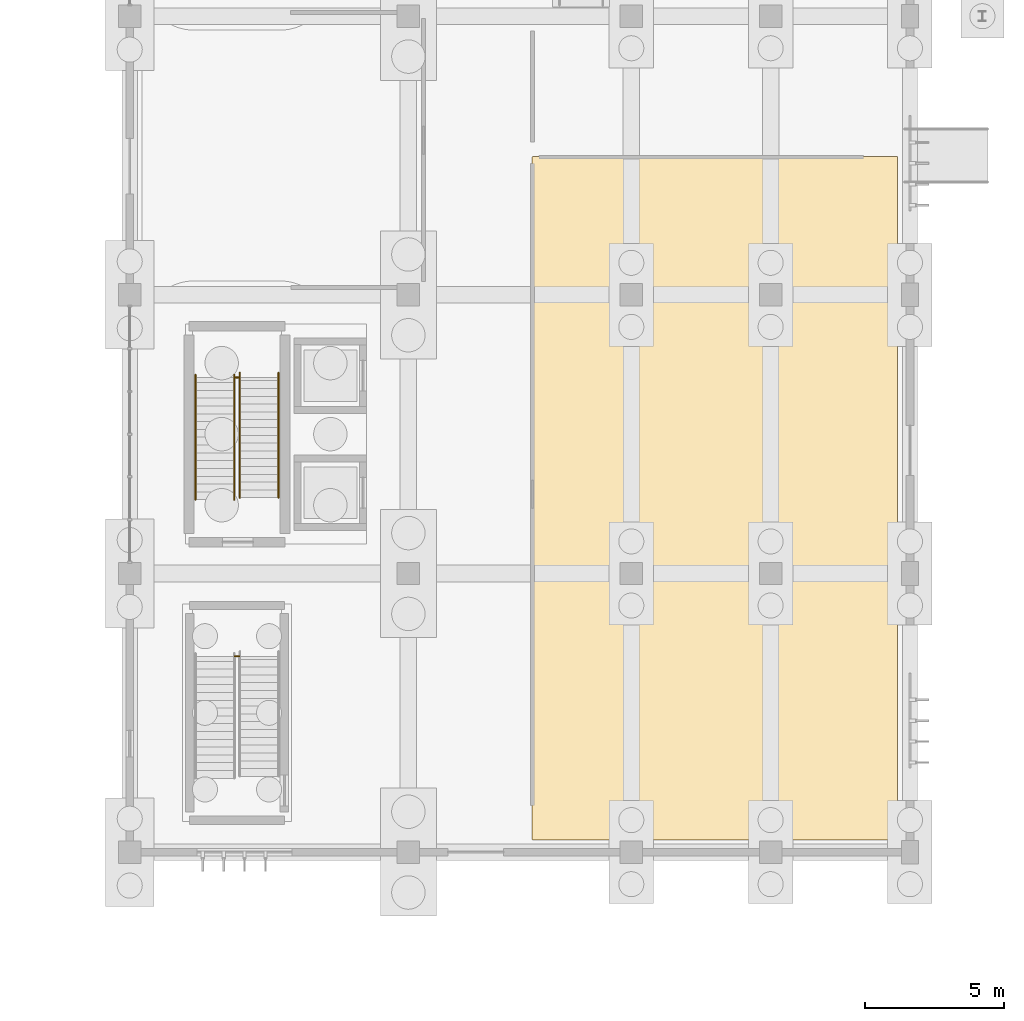
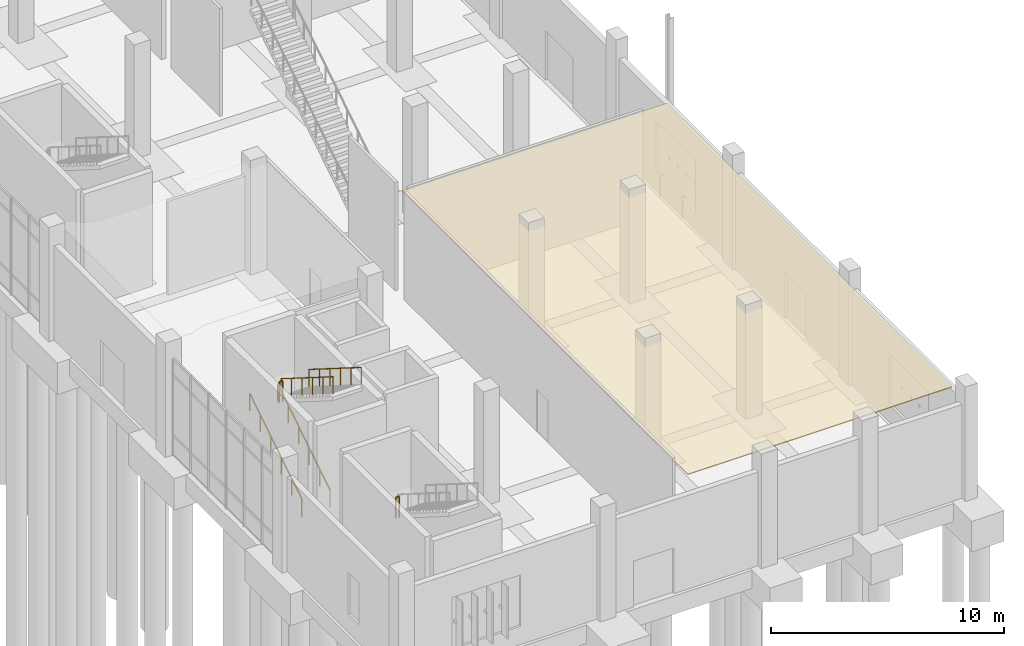
# One storey, part 126 of 140: 6 railings, 1 covering.
"""IFC4 building model written with IfcOpenShell, lengths in metres."""

from ifc_helpers import new_model, si_unit, direction, frame, origin, origin_2d, place, context, subcontext, project, spatial, polyline, circle, outline, extrude, material, layer, layer_set, type_object, element, save


model = new_model("IFC4")

# Units and contexts
model_context = context("Model", 3, precision=1e-05, world=origin(), true_north=direction((0.0, 1.0)))
body_context = subcontext(model_context, "Body", "Model", "MODEL_VIEW")
ifc_project = project(units=[si_unit("LENGTHUNIT", "METRE"), si_unit("AREAUNIT", "SQUARE_METRE"), si_unit("VOLUMEUNIT", "CUBIC_METRE"), si_unit("PLANEANGLEUNIT", "RADIAN"), si_unit("MASSUNIT", "GRAM", prefix="KILO")], contexts=[model_context])

# Site, building, storey
site_placement = place(None, origin())
site = spatial("IfcSite", under=ifc_project, at=site_placement, CompositionType="ELEMENT")
building_placement = place(site_placement, origin())
building = spatial("IfcBuilding", under=site, at=building_placement, Name="Corvandel Quay Wholesale Market", CompositionType="ELEMENT")
storey_placement = place(building_placement, origin())
storey = spatial("IfcBuildingStorey", under=building, at=storey_placement, Name="L00", CompositionType="ELEMENT", Elevation=0.0)

# Covering
ifc_material_1 = material(Name="Perforated powder-coated aluminium acoustic panel", Category="aluminium")
ifc_layer_1 = layer(ifc_material_1, 0.044921875)
ifc_layer_set_1 = layer_set([ifc_layer_1], Name="Perforated powder-coated aluminium acoustic panel")
covering_type = type_object("IfcCoveringType", Name="Perforated Acoustic Baffle Ceiling CLG01", PredefinedType="CEILING", material=ifc_layer_set_1)
covering_placement = place(storey_placement, frame((0.0, 0.0, 5.510009765625)))
element("IfcCovering", 1, at=covering_placement, inside=storey, type_object=covering_type, Name="Suspended Ceiling CLG-025", PredefinedType="CEILING", context=body_context, shape_type="SweptSolid", body=[
    extrude(outline(polyline([(234.4580078125, 10.43994140625), (234.4560546875, 10.43994140625), (234.4541015625, 10.44091796875), (234.451904296875, 10.44189453125), (234.450927734375, 10.44189453125), (234.448974609375, 10.443115234375), (234.447021484375, 10.445068359375), (234.446044921875, 10.446044921875), (234.445068359375, 10.447021484375), (234.443115234375, 10.448974609375), (234.44189453125, 10.450927734375), (234.44189453125, 10.451904296875), (234.44091796875, 10.4541015625), (234.43994140625, 10.4560546875), (234.43994140625, 10.4580078125), (234.43994140625, 10.4599609375), (234.43994140625, 34.93994140625), (234.43994140625, 34.94189453125), (234.43994140625, 34.944091796875), (234.44091796875, 34.946044921875), (234.44189453125, 34.947998046875), (234.44189453125, 34.948974609375), (234.443115234375, 34.950927734375), (234.445068359375, 34.952880859375), (234.446044921875, 34.9541015625), (234.447021484375, 34.955078125), (234.448974609375, 34.95703125), (234.450927734375, 34.9580078125), (234.451904296875, 34.9580078125), (234.4541015625, 34.958984375), (234.4560546875, 34.9599609375), (234.4580078125, 34.9599609375), (234.4599609375, 34.9599609375), (247.5400390625, 34.9599609375), (247.5419921875, 34.9599609375), (247.5439453125, 34.9599609375), (247.5458984375, 34.958984375), (247.548095703125, 34.9580078125), (247.549072265625, 34.9580078125), (247.551025390625, 34.95703125), (247.552978515625, 34.955078125), (247.553955078125, 34.9541015625), (247.554931640625, 34.952880859375), (247.556884765625, 34.950927734375), (247.55810546875, 34.948974609375), (247.55810546875, 34.947998046875), (247.55908203125, 34.946044921875), (247.56005859375, 34.944091796875), (247.56005859375, 34.94189453125), (247.56005859375, 34.93994140625), (247.56005859375, 10.4599609375), (247.56005859375, 10.4580078125), (247.56005859375, 10.4560546875), (247.55908203125, 10.4541015625), (247.55810546875, 10.451904296875), (247.55810546875, 10.450927734375), (247.556884765625, 10.448974609375), (247.554931640625, 10.447021484375), (247.553955078125, 10.446044921875), (247.552978515625, 10.445068359375), (247.551025390625, 10.443115234375), (247.549072265625, 10.44189453125), (247.548095703125, 10.44189453125), (247.5458984375, 10.44091796875), (247.5439453125, 10.43994140625), (247.5419921875, 10.43994140625), (247.5400390625, 10.43994140625), (234.4599609375, 10.43994140625), (234.4580078125, 10.43994140625)])), origin(), (0.0, 0.0, 1.0), 0.044921875),
])

# Railings
ifc_material_2 = material(Name="Painted galvanised tubular steel", Category="steel")
ifc_layer_2 = layer(ifc_material_2, 0.054931640625)
ifc_layer_set_2 = layer_set([ifc_layer_2], Name="Painted galvanised tubular steel")
railing_type_1 = type_object("IfcRailingType", Name="Stairwell Inner Guard Railing GR02 1100mm", PredefinedType="GUARDRAIL", material=ifc_layer_set_2)
for number, where, name in (
    (2, (223.77001953125, 27.030029296875, 3.0), "Stair Landing Well Guard 0146"),
    (3, (223.77001953125, 17.030029296875, 3.0), "Stair Landing Well Guard 0194"),
):
    element("IfcRailing", number, at=place(storey_placement, frame(where)), inside=storey, type_object=railing_type_1, Name=name, PredefinedType="GUARDRAIL", context=body_context, shape_type="SweptSolid", body=[
        extrude(circle(Radius=0.02392578125, at=origin_2d()), frame((0.0, 0.0, 1.076171875), z_axis=(1.0, 0.0, 0.0), x_axis=(0.0, 1.0, 0.0)), (0.0, 0.0, 1.0), 0.159912109375),
        extrude(circle(Radius=0.02099609375, at=origin_2d()), origin(), (0.0, 0.0, 1.0), 1.052001953125),
        extrude(circle(Radius=0.02099609375, at=origin_2d()), frame((0.159912109375, 0.0, 0.0)), (0.0, 0.0, 1.0), 1.052001953125),
    ])
ifc_material_3 = material(Name="Brushed austenitic stainless steel Grade 316", Category="steel")
ifc_layer_3 = layer(ifc_material_3, 0.048095703125)
ifc_layer_set_3 = layer_set([ifc_layer_3], Name="Brushed austenitic stainless steel Grade 316")
railing_type_2 = type_object("IfcRailingType", Name="Tubular Stainless Stair Handrail HR01 915mm", PredefinedType="HANDRAIL", material=ifc_layer_set_3)
for number, where, name in (
    (4, (222.360107421875, 22.64990234375, 0.176513671875), "Stair Handrail 0142"),
    (5, (223.75, 22.64990234375, 0.176513671875), "Stair Handrail 0143"),
):
    element("IfcRailing", number, at=place(storey_placement, frame(where)), inside=storey, type_object=railing_type_2, Name=name, PredefinedType="HANDRAIL", context=body_context, shape_type="SweptSolid", body=[
        extrude(circle(Radius=0.02392578125, at=origin_2d()), frame((0.0, 0.0, 0.89111328125), z_axis=(0.0, 0.845997938375, 0.533186166611), x_axis=(-1.0, 0.0, 0.0)), (0.0, 0.0, 1.0), 5.29541015625),
        extrude(circle(Radius=0.02099609375, at=origin_2d()), origin(), (0.0, 0.0, 1.0), 0.866943359375),
        extrude(circle(Radius=0.02099609375, at=origin_2d()), frame((0.0, 0.89599609375, 0.564697265625)), (0.0, 0.0, 1.0), 0.866943359375),
        extrude(circle(Radius=0.02099609375, at=origin_2d()), frame((0.0, 1.7919921875, 1.12939453125)), (0.0, 0.0, 1.0), 0.866943359375),
        extrude(circle(Radius=0.02099609375, at=origin_2d()), frame((0.0, 2.68798828125, 1.694091796875)), (0.0, 0.0, 1.0), 0.866943359375),
        extrude(circle(Radius=0.02099609375, at=origin_2d()), frame((0.0, 3.583984375, 2.2587890625)), (0.0, 0.0, 1.0), 0.866943359375),
        extrude(circle(Radius=0.02099609375, at=origin_2d()), frame((0.0, 4.47998046875, 2.823486328125)), (0.0, 0.0, 1.0), 0.866943359375),
    ])
for number, where, name in (
    (6, (223.949951171875, 27.199951171875, 3.176513671875), "Stair Handrail 0144"),
    (7, (225.340087890625, 27.199951171875, 3.176513671875), "Stair Handrail 0145"),
):
    element("IfcRailing", number, at=place(storey_placement, frame(where)), inside=storey, type_object=railing_type_2, Name=name, PredefinedType="HANDRAIL", context=body_context, shape_type="SweptSolid", body=[
        extrude(circle(Radius=0.02392578125, at=origin_2d()), frame((0.0, 0.0, 0.89111328125), z_axis=(0.0, -0.845997938375, 0.533186166611), x_axis=(1.0, 0.0, 0.0)), (0.0, 0.0, 1.0), 5.29541015625),
        extrude(circle(Radius=0.02099609375, at=origin_2d()), origin(), (0.0, 0.0, 1.0), 0.866943359375),
        extrude(circle(Radius=0.02099609375, at=origin_2d()), frame((0.0, -0.89599609375, 0.564697265625)), (0.0, 0.0, 1.0), 0.866943359375),
        extrude(circle(Radius=0.02099609375, at=origin_2d()), frame((0.0, -1.7919921875, 1.12939453125)), (0.0, 0.0, 1.0), 0.866943359375),
        extrude(circle(Radius=0.02099609375, at=origin_2d()), frame((0.0, -2.68798828125, 1.694091796875)), (0.0, 0.0, 1.0), 0.866943359375),
        extrude(circle(Radius=0.02099609375, at=origin_2d()), frame((0.0, -3.583984375, 2.2587890625)), (0.0, 0.0, 1.0), 0.866943359375),
        extrude(circle(Radius=0.02099609375, at=origin_2d()), frame((0.0, -4.47998046875, 2.823486328125)), (0.0, 0.0, 1.0), 0.866943359375),
    ])

save(model, "model.ifc")
